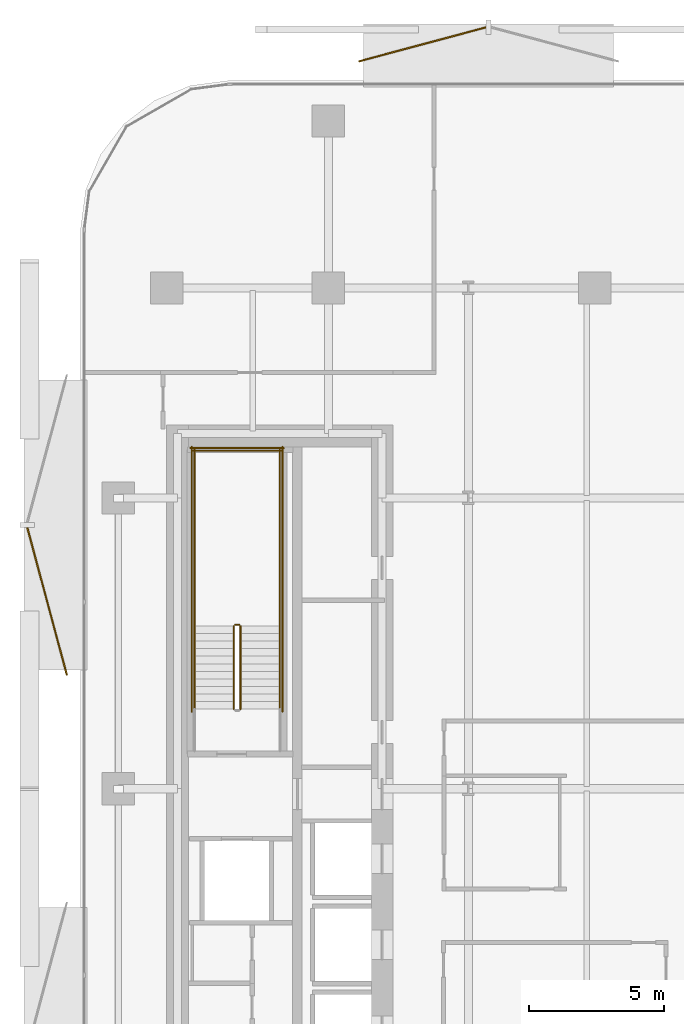
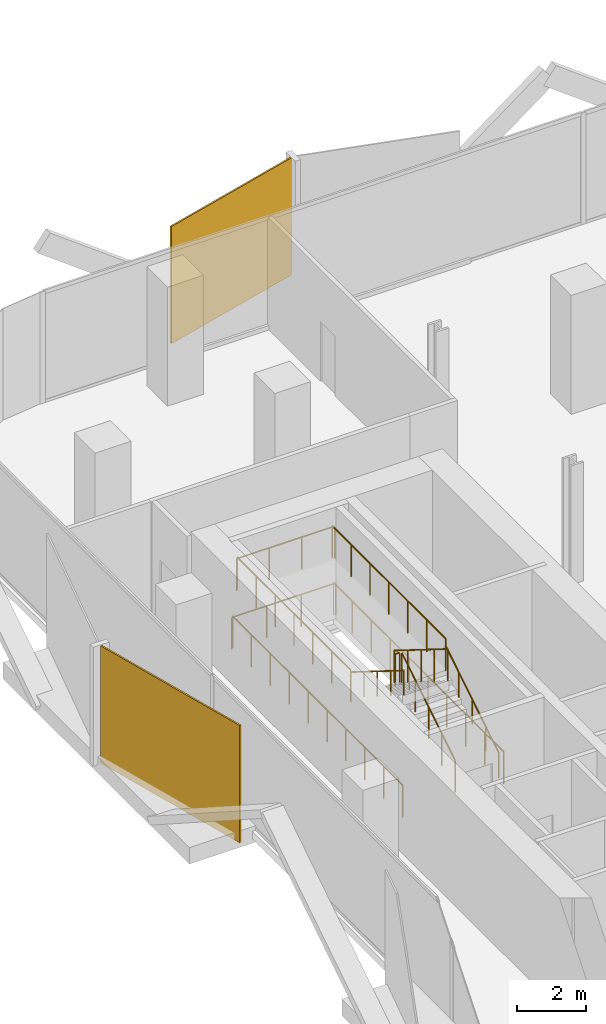
# One storey, part 14 of 15: 11 railings, 2 coverings.
"""IFC4 building model written with IfcOpenShell, lengths in metres."""

from ifc_helpers import new_model, si_unit, direction, frame, origin, origin_2d, place, context, subcontext, project, spatial, rectangle, circle, extrude, material, layer, layer_set, type_object, element, save


model = new_model("IFC4")

# Units and contexts
model_context = context("Model", 3, precision=1e-05, world=origin(), true_north=direction((0.0, 1.0)))
body_context = subcontext(model_context, "Body", "Model", "MODEL_VIEW")
ifc_project = project(units=[si_unit("LENGTHUNIT", "METRE"), si_unit("AREAUNIT", "SQUARE_METRE"), si_unit("VOLUMEUNIT", "CUBIC_METRE"), si_unit("PLANEANGLEUNIT", "RADIAN"), si_unit("MASSUNIT", "GRAM", prefix="KILO")], contexts=[model_context])

# Site, building, storey
site_placement = place(None, origin())
site = spatial("IfcSite", under=ifc_project, at=site_placement, CompositionType="ELEMENT")
building_placement = place(site_placement, origin())
building = spatial("IfcBuilding", under=site, at=building_placement, Name="Khairoan Windgate Tower", CompositionType="ELEMENT")
storey_placement = place(building_placement, frame((0.0, 0.0, 126.800048828125)))
storey = spatial("IfcBuildingStorey", under=building, at=storey_placement, Name="L29", CompositionType="ELEMENT", Elevation=126.800048828125)

# Coverings
ifc_material_1 = material(Name="Anodised Bronze Aluminium 6063-T6", Category="aluminium")
ifc_layer = layer(ifc_material_1, 0.054931640625, Name="Anodised Bronze Aluminium 6063-T6")
ifc_layer_set = layer_set([ifc_layer], Name="Anodised Bronze Aluminium 6063-T6")
covering_type = type_object("IfcCoveringType", Name="Perforated Bronze-Ceramic Folded Solar Screen Cladding BSC-1", PredefinedType="CLADDING", material=ifc_layer_set)
covering_1_placement = place(storey_placement, frame((-24.8447265625, 6.961669921875, -0.10009765625), z_axis=(0.0, 0.0, 1.0), x_axis=(-0.258819045103, 0.965925826289, 0.0)))
element("IfcCovering", 1, at=covering_1_placement, inside=storey, type_object=covering_type, Name="L29 Folded Bronze Solar Screen Facet 180L", PredefinedType="CLADDING", context=body_context, shape_type="SweptSolid", body=[
    extrude(rectangle(XDim=5.680908203125, YDim=0.054931640625, at=origin_2d()), origin(), (0.0, 0.0, 1.0), 4.139892578125),
])
covering_2_placement = place(storey_placement, frame((-10.90087890625, 27.646240234375, -0.10009765625), z_axis=(0.0, 0.0, 1.0), x_axis=(0.965925826289, 0.258819045103, 0.0)))
element("IfcCovering", 2, at=covering_2_placement, inside=storey, type_object=covering_type, Name="L29 Folded Bronze Solar Screen Facet 181L", PredefinedType="CLADDING", context=body_context, shape_type="SweptSolid", body=[
    extrude(rectangle(XDim=4.89794921875, YDim=0.054931640625, at=origin_2d()), origin(), (0.0, 0.0, 1.0), 4.139892578125),
])

# Railings
ifc_material_2 = material(Name="Anodised Bronze Aluminium 6063-T6", Category="aluminium")
railing_type_1 = type_object("IfcRailingType", Name="Stair Wall Handrail SHR-900", PredefinedType="HANDRAIL", material=ifc_material_2)
railing_1_placement = place(storey_placement, frame((-16.199951171875, 2.9599609375, 0.175048828125)))
element("IfcRailing", 3, at=railing_1_placement, inside=storey, type_object=railing_type_1, Name="L29 ST2 stair handrail 1", PredefinedType="HANDRAIL", context=body_context, shape_type="SweptSolid", body=[
    extrude(circle(Radius=0.02392578125, at=origin_2d()), frame((0.0, 0.0, 0.8759765625), z_axis=(0.0, 0.848028513186, 0.529950602248), x_axis=(-1.0, 0.0, 0.0)), (0.0, 0.0, 1.0), 3.632080078125),
    extrude(circle(Radius=0.02099609375, at=origin_2d()), origin(), (0.0, 0.0, 1.0), 0.851806640625),
    extrude(circle(Radius=0.02099609375, at=origin_2d()), frame((0.0, 0.77001953125, 0.481201171875)), (0.0, 0.0, 1.0), 0.851806640625),
    extrude(circle(Radius=0.02099609375, at=origin_2d()), frame((0.0, 1.5400390625, 0.96240234375)), (0.0, 0.0, 1.0), 0.851806640625),
    extrude(circle(Radius=0.02099609375, at=origin_2d()), frame((0.0, 2.31005859375, 1.443603515625)), (0.0, 0.0, 1.0), 0.851806640625),
    extrude(circle(Radius=0.02099609375, at=origin_2d()), frame((0.0, 3.080078125, 1.9248046875)), (0.0, 0.0, 1.0), 0.851806640625),
])
railing_2_placement = place(storey_placement, frame((-19.3701171875, 6.0400390625, 2.27490234375)))
element("IfcRailing", 4, at=railing_2_placement, inside=storey, type_object=railing_type_1, Name="L29 ST2 stair handrail 2", PredefinedType="HANDRAIL", context=body_context, shape_type="SweptSolid", body=[
    extrude(circle(Radius=0.02392578125, at=origin_2d()), frame((0.0, 0.0, 0.8759765625), z_axis=(0.0, -0.847998304005, 0.529998940003), x_axis=(1.0, 0.0, 0.0)), (0.0, 0.0, 1.0), 3.632080078125),
    extrude(circle(Radius=0.02099609375, at=origin_2d()), origin(), (0.0, 0.0, 1.0), 0.851806640625),
    extrude(circle(Radius=0.02099609375, at=origin_2d()), frame((0.0, -0.77001953125, 0.481201171875)), (0.0, 0.0, 1.0), 0.851806640625),
    extrude(circle(Radius=0.02099609375, at=origin_2d()), frame((0.0, -1.5400390625, 0.96240234375)), (0.0, 0.0, 1.0), 0.851806640625),
    extrude(circle(Radius=0.02099609375, at=origin_2d()), frame((0.0, -2.31005859375, 1.44384765625)), (0.0, 0.0, 1.0), 0.851806640625),
    extrude(circle(Radius=0.02099609375, at=origin_2d()), frame((0.0, -3.080078125, 1.925048828125)), (0.0, 0.0, 1.0), 0.851806640625),
])
ifc_material_3 = material(Name="Steel S355", Category="steel")
railing_type_2 = type_object("IfcRailingType", Name="Stairwell Safety Guardrail SGR-1150", PredefinedType="GUARDRAIL", material=ifc_material_3)
railing_3_placement = place(storey_placement, frame((-17.659912109375, 2.9599609375, 0.175048828125)))
element("IfcRailing", 5, at=railing_3_placement, inside=storey, type_object=railing_type_2, Name="L29 ST2 stair guard 1", PredefinedType="GUARDRAIL", context=body_context, shape_type="SweptSolid", body=[
    extrude(circle(Radius=0.02392578125, at=origin_2d()), frame((0.0, 0.0, 1.1259765625), z_axis=(0.0, 0.848028513186, 0.529950602248), x_axis=(-1.0, 0.0, 0.0)), (0.0, 0.0, 1.0), 3.632080078125),
    extrude(circle(Radius=0.02099609375, at=origin_2d()), origin(), (0.0, 0.0, 1.0), 1.101806640625),
    extrude(circle(Radius=0.02099609375, at=origin_2d()), frame((0.0, 0.77001953125, 0.481201171875)), (0.0, 0.0, 1.0), 1.101806640625),
    extrude(circle(Radius=0.02099609375, at=origin_2d()), frame((0.0, 1.5400390625, 0.96240234375)), (0.0, 0.0, 1.0), 1.101806640625),
    extrude(circle(Radius=0.02099609375, at=origin_2d()), frame((0.0, 2.31005859375, 1.443603515625)), (0.0, 0.0, 1.0), 1.101806640625),
    extrude(circle(Radius=0.02099609375, at=origin_2d()), frame((0.0, 3.080078125, 1.9248046875)), (0.0, 0.0, 1.0), 1.101806640625),
])
railing_4_placement = place(storey_placement, frame((-17.7099609375, 6.090087890625, 2.099853515625)))
element("IfcRailing", 6, at=railing_4_placement, inside=storey, type_object=railing_type_2, Name="L29 ST2 stair guard 2", PredefinedType="GUARDRAIL", context=body_context, shape_type="SweptSolid", body=[
    extrude(circle(Radius=0.02392578125, at=origin_2d()), frame((0.0, 0.0, 1.1259765625), z_axis=(-1.0, 0.0, 0.0), x_axis=(0.0, -1.0, 0.0)), (0.0, 0.0, 1.0), 0.150146484375),
    extrude(circle(Radius=0.02099609375, at=origin_2d()), origin(), (0.0, 0.0, 1.0), 1.101806640625),
    extrude(circle(Radius=0.02099609375, at=origin_2d()), frame((-0.150146484375, 0.0, 0.0)), (0.0, 0.0, 1.0), 1.101806640625),
])
for number, where, name in (
    (7, (-16.199951171875, 6.0400390625, 2.099853515625), "L29 ST2 stair guard 3"),
    (8, (-19.3701171875, 6.0400390625, 2.099853515625), "L29 ST2 stair guard 4"),
):
    element("IfcRailing", number, at=place(storey_placement, frame(where)), inside=storey, type_object=railing_type_2, Name=name, PredefinedType="GUARDRAIL", context=body_context, shape_type="SweptSolid", body=[
        extrude(circle(Radius=0.02392578125, at=origin_2d()), frame((0.0, 0.0, 1.1259765625), z_axis=(0.0, 1.0, 0.0), x_axis=(-1.0, 0.0, 0.0)), (0.0, 0.0, 1.0), 6.56005859375),
        extrude(circle(Radius=0.02099609375, at=origin_2d()), origin(), (0.0, 0.0, 1.0), 1.101806640625),
        extrude(circle(Radius=0.02099609375, at=origin_2d()), frame((0.0, 1.09326171875, 0.0)), (0.0, 0.0, 1.0), 1.101806640625),
        extrude(circle(Radius=0.02099609375, at=origin_2d()), frame((0.0, 2.186767578125, 0.0)), (0.0, 0.0, 1.0), 1.101806640625),
        extrude(circle(Radius=0.02099609375, at=origin_2d()), frame((0.0, 3.280029296875, 0.0)), (0.0, 0.0, 1.0), 1.101806640625),
        extrude(circle(Radius=0.02099609375, at=origin_2d()), frame((0.0, 4.373291015625, 0.0)), (0.0, 0.0, 1.0), 1.101806640625),
        extrude(circle(Radius=0.02099609375, at=origin_2d()), frame((0.0, 5.466796875, 0.0)), (0.0, 0.0, 1.0), 1.101806640625),
        extrude(circle(Radius=0.02099609375, at=origin_2d()), frame((0.0, 6.56005859375, 0.0)), (0.0, 0.0, 1.0), 1.101806640625),
    ])
railing_5_placement = place(storey_placement, frame((-16.14990234375, 12.550048828125, 2.099853515625)))
element("IfcRailing", 9, at=railing_5_placement, inside=storey, type_object=railing_type_2, Name="L29 ST2 stair guard 5", PredefinedType="GUARDRAIL", context=body_context, shape_type="SweptSolid", body=[
    extrude(circle(Radius=0.02392578125, at=origin_2d()), frame((0.0, 0.0, 1.1259765625), z_axis=(-1.0, 0.0, 0.0), x_axis=(0.0, -1.0, 0.0)), (0.0, 0.0, 1.0), 3.27001953125),
    extrude(circle(Radius=0.02099609375, at=origin_2d()), origin(), (0.0, 0.0, 1.0), 1.101806640625),
    extrude(circle(Radius=0.02099609375, at=origin_2d()), frame((-1.090087890625, 0.0, 0.0)), (0.0, 0.0, 1.0), 1.101806640625),
    extrude(circle(Radius=0.02099609375, at=origin_2d()), frame((-2.179931640625, 0.0, 0.0)), (0.0, 0.0, 1.0), 1.101806640625),
    extrude(circle(Radius=0.02099609375, at=origin_2d()), frame((-3.27001953125, 0.0, 0.0)), (0.0, 0.0, 1.0), 1.101806640625),
])
railing_6_placement = place(storey_placement, frame((-17.909912109375, 6.0400390625, 2.27490234375)))
element("IfcRailing", 10, at=railing_6_placement, inside=storey, type_object=railing_type_2, Name="L29 ST2 stair guard 6", PredefinedType="GUARDRAIL", context=body_context, shape_type="SweptSolid", body=[
    extrude(circle(Radius=0.02392578125, at=origin_2d()), frame((0.0, 0.0, 1.1259765625), z_axis=(0.0, -0.847998304005, 0.529998940003), x_axis=(1.0, 0.0, 0.0)), (0.0, 0.0, 1.0), 3.632080078125),
    extrude(circle(Radius=0.02099609375, at=origin_2d()), origin(), (0.0, 0.0, 1.0), 1.101806640625),
    extrude(circle(Radius=0.02099609375, at=origin_2d()), frame((0.0, -0.77001953125, 0.481201171875)), (0.0, 0.0, 1.0), 1.101806640625),
    extrude(circle(Radius=0.02099609375, at=origin_2d()), frame((0.0, -1.5400390625, 0.96240234375)), (0.0, 0.0, 1.0), 1.101806640625),
    extrude(circle(Radius=0.02099609375, at=origin_2d()), frame((0.0, -2.31005859375, 1.44384765625)), (0.0, 0.0, 1.0), 1.101806640625),
    extrude(circle(Radius=0.02099609375, at=origin_2d()), frame((0.0, -3.080078125, 1.925048828125)), (0.0, 0.0, 1.0), 1.101806640625),
])
for number, where, name in (
    (11, (-16.10009765625, 2.860107421875, 0.0), "L29 ST2 stair guard 10"),
    (12, (-19.469970703125, 2.860107421875, 0.0), "L29 ST2 stair guard 11"),
):
    element("IfcRailing", number, at=place(storey_placement, frame(where)), inside=storey, type_object=railing_type_2, Name=name, PredefinedType="GUARDRAIL", context=body_context, shape_type="SweptSolid", body=[
        extrude(circle(Radius=0.02392578125, at=origin_2d()), frame((0.0, 0.0, 1.1259765625), z_axis=(0.0, 1.0, 0.0), x_axis=(-1.0, 0.0, 0.0)), (0.0, 0.0, 1.0), 9.83984375),
        extrude(circle(Radius=0.02099609375, at=origin_2d()), origin(), (0.0, 0.0, 1.0), 1.101806640625),
        extrude(circle(Radius=0.02099609375, at=origin_2d()), frame((0.0, 1.09326171875, 0.0)), (0.0, 0.0, 1.0), 1.101806640625),
        extrude(circle(Radius=0.02099609375, at=origin_2d()), frame((0.0, 2.1865234375, 0.0)), (0.0, 0.0, 1.0), 1.101806640625),
        extrude(circle(Radius=0.02099609375, at=origin_2d()), frame((0.0, 3.280029296875, 0.0)), (0.0, 0.0, 1.0), 1.101806640625),
        extrude(circle(Radius=0.02099609375, at=origin_2d()), frame((0.0, 4.373291015625, 0.0)), (0.0, 0.0, 1.0), 1.101806640625),
        extrude(circle(Radius=0.02099609375, at=origin_2d()), frame((0.0, 5.466552734375, 0.0)), (0.0, 0.0, 1.0), 1.101806640625),
        extrude(circle(Radius=0.02099609375, at=origin_2d()), frame((0.0, 6.559814453125, 0.0)), (0.0, 0.0, 1.0), 1.101806640625),
        extrude(circle(Radius=0.02099609375, at=origin_2d()), frame((0.0, 7.6533203125, 0.0)), (0.0, 0.0, 1.0), 1.101806640625),
        extrude(circle(Radius=0.02099609375, at=origin_2d()), frame((0.0, 8.74658203125, 0.0)), (0.0, 0.0, 1.0), 1.101806640625),
        extrude(circle(Radius=0.02099609375, at=origin_2d()), frame((0.0, 9.83984375, 0.0)), (0.0, 0.0, 1.0), 1.101806640625),
    ])
railing_7_placement = place(storey_placement, frame((-16.050048828125, 12.64990234375, 0.0)))
element("IfcRailing", 13, at=railing_7_placement, inside=storey, type_object=railing_type_2, Name="L29 ST2 stair guard 12", PredefinedType="GUARDRAIL", context=body_context, shape_type="SweptSolid", body=[
    extrude(circle(Radius=0.02392578125, at=origin_2d()), frame((0.0, 0.0, 1.1259765625), z_axis=(-1.0, 0.0, 0.0), x_axis=(0.0, -1.0, 0.0)), (0.0, 0.0, 1.0), 3.469970703125),
    extrude(circle(Radius=0.02099609375, at=origin_2d()), origin(), (0.0, 0.0, 1.0), 1.101806640625),
    extrude(circle(Radius=0.02099609375, at=origin_2d()), frame((-1.15673828125, 0.0, 0.0)), (0.0, 0.0, 1.0), 1.101806640625),
    extrude(circle(Radius=0.02099609375, at=origin_2d()), frame((-2.313232421875, 0.0, 0.0)), (0.0, 0.0, 1.0), 1.101806640625),
    extrude(circle(Radius=0.02099609375, at=origin_2d()), frame((-3.469970703125, 0.0, 0.0)), (0.0, 0.0, 1.0), 1.101806640625),
])

save(model, "model.ifc")
